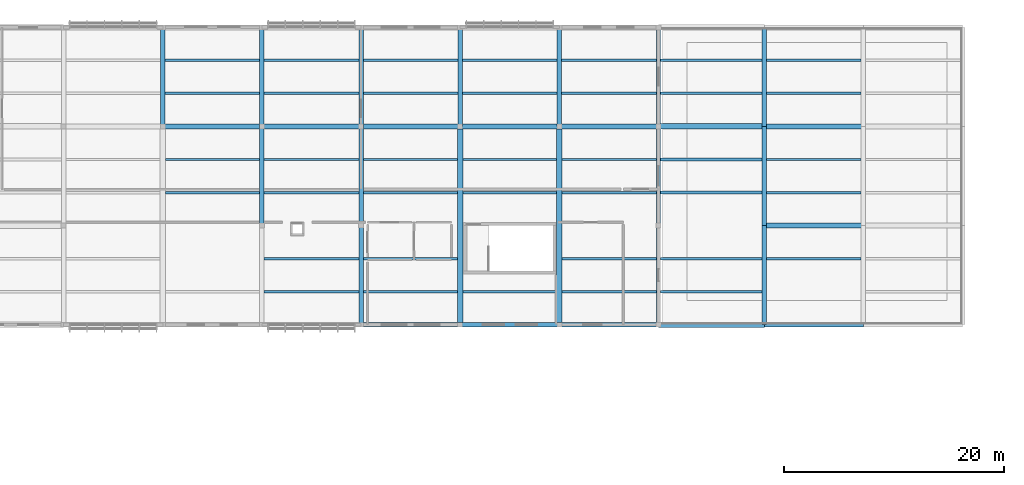
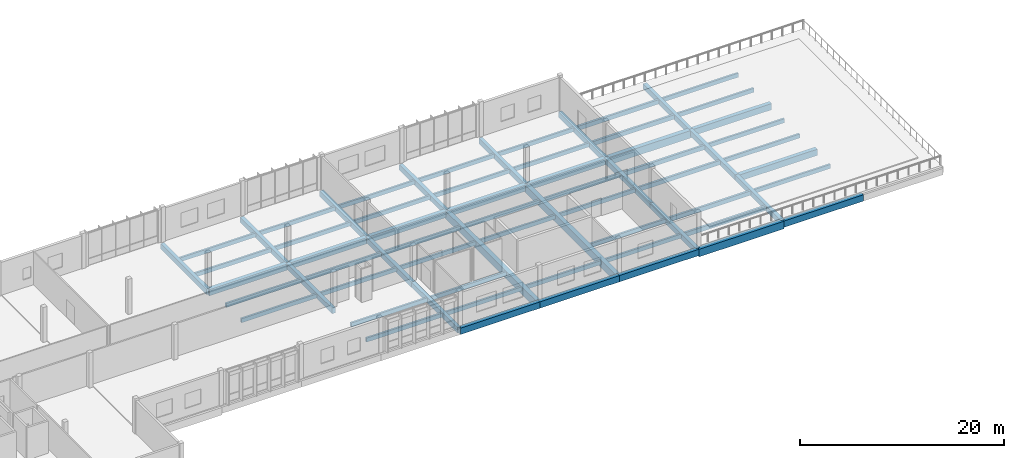
# One storey, part 49 of 94: 67 beams.
"""IFC4 building model written with IfcOpenShell, lengths in metres."""

from ifc_helpers import new_model, si_unit, direction, frame, origin, origin_2d, place, context, subcontext, project, spatial, rectangle, extrude, material, material_profile, profile_set, type_object, element, save


model = new_model("IFC4")

# Units and contexts
model_context = context("Model", 3, precision=1e-05, world=origin(), true_north=direction((0.0, 1.0)))
body_context = subcontext(model_context, "Body", "Model", "MODEL_VIEW")
ifc_project = project(units=[si_unit("LENGTHUNIT", "METRE"), si_unit("AREAUNIT", "SQUARE_METRE"), si_unit("VOLUMEUNIT", "CUBIC_METRE"), si_unit("PLANEANGLEUNIT", "RADIAN"), si_unit("MASSUNIT", "GRAM", prefix="KILO")], contexts=[model_context])

# Site, building, storey
site_placement = place(None, origin())
site = spatial("IfcSite", under=ifc_project, at=site_placement, CompositionType="ELEMENT")
building_placement = place(site_placement, origin())
building = spatial("IfcBuilding", under=site, at=building_placement, Name="Chiffa Square Polytechnic", CompositionType="ELEMENT")
storey_placement = place(building_placement, frame((0.0, 0.0, 18.0)))
storey = spatial("IfcBuildingStorey", under=building, at=storey_placement, Name="L04", CompositionType="ELEMENT", Elevation=18.0)

# Beams
ifc_material_1 = material(Name="Concrete C35/45", Category="concrete")
ifc_material_profile_1 = material_profile(ifc_material_1, rectangle(XDim=0.39990234375, YDim=0.64990234375, at=origin_2d()), Name="RC 400x650")
ifc_profile_set_1 = profile_set([ifc_material_profile_1], Name="Concrete C35/45")
beam_type_1 = type_object("IfcBeamType", Name="BM-RC-400X650", PredefinedType="BEAM", material=ifc_profile_set_1)
for number, where, z_axis, x_axis, name in (
    (1, (66.60009765625, 121.800048828125, -0.56494140625), (0.0, 1.0, 0.0), (-1.0, 0.0, 0.0), "Primary floor girder BM-V5-L04-Y-0666-1218"),
    (2, (75.60009765625, 112.800048828125, -0.56494140625), (0.0, 1.0, 0.0), (-1.0, 0.0, 0.0), "Primary floor girder BM-V5-L04-Y-0756-1128"),
    (3, (75.60009765625, 121.800048828125, -0.56494140625), (0.0, 1.0, 0.0), (-1.0, 0.0, 0.0), "Primary floor girder BM-V5-L04-Y-0756-1218"),
    (4, (84.60009765625, 103.800048828125, -0.56494140625), (0.0, 1.0, 0.0), (-1.0, 0.0, 0.0), "Primary floor girder BM-V5-L04-Y-0846-1038"),
    (5, (84.60009765625, 112.800048828125, -0.56494140625), (0.0, 1.0, 0.0), (-1.0, 0.0, 0.0), "Primary floor girder BM-V5-L04-Y-0846-1128"),
    (6, (84.60009765625, 121.800048828125, -0.56494140625), (0.0, 1.0, 0.0), (-1.0, 0.0, 0.0), "Primary floor girder BM-V5-L04-Y-0846-1218"),
    (7, (93.60009765625, 121.800048828125, -0.56494140625), (0.0, 1.0, 0.0), (-1.0, 0.0, 0.0), "Primary floor girder BM-V5-L04-Y-0936-1218"),
    (8, (102.60009765625, 121.800048828125, -0.56494140625), (0.0, 1.0, 0.0), (-1.0, 0.0, 0.0), "Primary floor girder BM-V5-L04-Y-1026-1218"),
    (9, (111.60009765625, 103.800048828125, -0.56494140625), (0.0, 1.0, 0.0), (-1.0, 0.0, 0.0), "Primary floor girder BM-V5-L04-Y-1116-1038"),
    (10, (111.60009765625, 112.800048828125, -0.56494140625), (0.0, 1.0, 0.0), (-1.0, 0.0, 0.0), "Primary floor girder BM-V5-L04-Y-1116-1128"),
    (11, (111.60009765625, 121.800048828125, -0.56494140625), (0.0, 1.0, 0.0), (-1.0, 0.0, 0.0), "Primary floor girder BM-V5-L04-Y-1116-1218"),
    (12, (121.199951171875, 103.800048828125, -0.56494140625), (0.0, 1.0, 0.0), (-1.0, 0.0, 0.0), "Primary floor girder BM-V5-L04-Y-1212-1038"),
    (13, (121.199951171875, 112.800048828125, -0.56494140625), (0.0, 1.0, 0.0), (-1.0, 0.0, 0.0), "Primary floor girder BM-V5-L04-Y-1212-1128"),
    (14, (121.199951171875, 121.800048828125, -0.56494140625), (0.0, 1.0, 0.0), (-1.0, 0.0, 0.0), "Primary floor girder BM-V5-L04-Y-1212-1218"),
):
    element("IfcBeam", number, at=place(storey_placement, frame(where, z_axis=z_axis, x_axis=x_axis)), inside=storey, type_object=beam_type_1, Name=name, PredefinedType="BEAM", context=body_context, shape_type="SweptSolid", body=[
        extrude(rectangle(XDim=0.39990234375, YDim=0.64990234375, at=origin_2d()), origin(), (0.0, 0.0, 1.0), 9.0),
    ])
ifc_material_profile_2 = material_profile(ifc_material_1, rectangle(XDim=0.449951171875, YDim=0.75, at=origin_2d()), Name="RC 450x750")
ifc_profile_set_2 = profile_set([ifc_material_profile_2], Name="Concrete C35/45")
beam_type_2 = type_object("IfcBeamType", Name="BM-RC-450X750", PredefinedType="BEAM", material=ifc_profile_set_2)
for number, where, z_axis, x_axis, name in (
    (15, (84.60009765625, 103.800048828125, -0.614990234375), (1.0, 0.0, 0.0), (0.0, 1.0, 0.0), "Primary floor girder BM-V5-L04-X-0846-1038"),
    (16, (93.60009765625, 103.800048828125, -0.614990234375), (1.0, 0.0, 0.0), (0.0, 1.0, 0.0), "Primary floor girder BM-V5-L04-X-0936-1038"),
    (17, (102.60009765625, 103.800048828125, -0.614990234375), (1.0, 0.0, 0.0), (0.0, 1.0, 0.0), "Primary floor girder BM-V5-L04-X-1026-1038"),
    (18, (121.199951171875, 103.800048828125, -0.614990234375), (1.0, 0.0, 0.0), (0.0, 1.0, 0.0), "Primary floor girder BM-V5-L04-X-1212-1038"),
    (19, (121.199951171875, 112.800048828125, -0.614990234375), (1.0, 0.0, 0.0), (0.0, 1.0, 0.0), "Primary floor girder BM-V5-L04-X-1212-1128"),
    (20, (66.60009765625, 121.800048828125, -0.614990234375), (1.0, 0.0, 0.0), (0.0, 1.0, 0.0), "Primary floor girder BM-V5-L04-X-0666-1218"),
    (21, (75.60009765625, 121.800048828125, -0.614990234375), (1.0, 0.0, 0.0), (0.0, 1.0, 0.0), "Primary floor girder BM-V5-L04-X-0756-1218"),
    (22, (84.60009765625, 121.800048828125, -0.614990234375), (1.0, 0.0, 0.0), (0.0, 1.0, 0.0), "Primary floor girder BM-V5-L04-X-0846-1218"),
    (23, (93.60009765625, 121.800048828125, -0.614990234375), (1.0, 0.0, 0.0), (0.0, 1.0, 0.0), "Primary floor girder BM-V5-L04-X-0936-1218"),
    (24, (102.60009765625, 121.800048828125, -0.614990234375), (1.0, 0.0, 0.0), (0.0, 1.0, 0.0), "Primary floor girder BM-V5-L04-X-1026-1218"),
    (25, (121.199951171875, 121.800048828125, -0.614990234375), (1.0, 0.0, 0.0), (0.0, 1.0, 0.0), "Primary floor girder BM-V5-L04-X-1212-1218"),
):
    element("IfcBeam", number, at=place(storey_placement, frame(where, z_axis=z_axis, x_axis=x_axis)), inside=storey, type_object=beam_type_2, Name=name, PredefinedType="BEAM", context=body_context, shape_type="SweptSolid", body=[
        extrude(rectangle(XDim=0.449951171875, YDim=0.75, at=origin_2d()), origin(), (0.0, 0.0, 1.0), 9.0),
    ])
ifc_material_2 = material(Name="Concrete C40/50", Category="concrete")
ifc_material_profile_3 = material_profile(ifc_material_2, rectangle(XDim=0.5, YDim=0.89990234375, at=origin_2d()), Name="RC 500x900")
ifc_profile_set_3 = profile_set([ifc_material_profile_3], Name="Concrete C40/50")
beam_type_3 = type_object("IfcBeamType", Name="BM-RC-500X900", PredefinedType="BEAM", material=ifc_profile_set_3)
for number, where, z_axis, x_axis, name in (
    (26, (111.60009765625, 103.800048828125, -0.68994140625), (1.0, 0.0, 0.0), (0.0, 1.0, 0.0), "Primary floor girder BM-V5-L04-X-1116-1038"),
    (27, (111.60009765625, 121.800048828125, -0.68994140625), (1.0, 0.0, 0.0), (0.0, 1.0, 0.0), "Primary floor girder BM-V5-L04-X-1116-1218"),
):
    element("IfcBeam", number, at=place(storey_placement, frame(where, z_axis=z_axis, x_axis=x_axis)), inside=storey, type_object=beam_type_3, Name=name, PredefinedType="BEAM", context=body_context, shape_type="SweptSolid", body=[
        extrude(rectangle(XDim=0.5, YDim=0.89990234375, at=origin_2d()), origin(), (0.0, 0.0, 1.0), 9.599853515625),
    ])
for number, where, z_axis, x_axis, name in (
    (28, (93.60009765625, 103.800048828125, -0.68994140625), (0.0, 1.0, 0.0), (-1.0, 0.0, 0.0), "Primary floor girder BM-V5-L04-Y-0936-1038"),
    (29, (102.60009765625, 103.800048828125, -0.68994140625), (0.0, 1.0, 0.0), (-1.0, 0.0, 0.0), "Primary floor girder BM-V5-L04-Y-1026-1038"),
):
    element("IfcBeam", number, at=place(storey_placement, frame(where, z_axis=z_axis, x_axis=x_axis)), inside=storey, type_object=beam_type_3, Name=name, PredefinedType="BEAM", context=body_context, shape_type="SweptSolid", body=[
        extrude(rectangle(XDim=0.5, YDim=0.89990234375, at=origin_2d()), origin(), (0.0, 0.0, 1.0), 18.0),
    ])
ifc_material_3 = material(Name="Glulam GL28h", Category="wood")
ifc_material_profile_4 = material_profile(ifc_material_3, rectangle(XDim=0.219970703125, YDim=0.47998046875, at=origin_2d()), Name="GL28h 220x480")
ifc_profile_set_4 = profile_set([ifc_material_profile_4], Name="Glulam GL28h")
beam_type_4 = type_object("IfcBeamType", Name="JST-GL-220X480", PredefinedType="JOIST", material=ifc_profile_set_4)
for number, where, z_axis, x_axis, name in (
    (30, (66.847900390625, 115.800048828125, -0.47998046875), (1.0, 0.0, 0.0), (0.0, 1.0, 0.0), "Secondary floor joist JST-V5-L04-0666-1158"),
    (31, (66.847900390625, 118.800048828125, -0.47998046875), (1.0, 0.0, 0.0), (0.0, 1.0, 0.0), "Secondary floor joist JST-V5-L04-0666-1188"),
):
    element("IfcBeam", number, at=place(storey_placement, frame(where, z_axis=z_axis, x_axis=x_axis)), inside=storey, type_object=beam_type_4, Name=name, PredefinedType="JOIST", context=body_context, shape_type="SweptSolid", body=[
        extrude(rectangle(XDim=0.219970703125, YDim=0.47998046875, at=origin_2d()), origin(), (0.0, 0.0, 1.0), 8.55419921875),
    ])
for number, where, z_axis, x_axis, name in (
    (32, (66.798095703125, 124.800048828125, -0.47998046875), (1.0, 0.0, 0.0), (0.0, 1.0, 0.0), "Secondary floor joist JST-V5-L04-0666-1248"),
    (33, (66.798095703125, 127.800048828125, -0.47998046875), (1.0, 0.0, 0.0), (0.0, 1.0, 0.0), "Secondary floor joist JST-V5-L04-0666-1278"),
    (34, (75.798095703125, 106.800048828125, -0.47998046875), (1.0, 0.0, 0.0), (0.0, 1.0, 0.0), "Secondary floor joist JST-V5-L04-0756-1068"),
    (35, (75.798095703125, 109.800048828125, -0.47998046875), (1.0, 0.0, 0.0), (0.0, 1.0, 0.0), "Secondary floor joist JST-V5-L04-0756-1098"),
    (36, (75.798095703125, 115.800048828125, -0.47998046875), (1.0, 0.0, 0.0), (0.0, 1.0, 0.0), "Secondary floor joist JST-V5-L04-0756-1158"),
    (37, (75.798095703125, 118.800048828125, -0.47998046875), (1.0, 0.0, 0.0), (0.0, 1.0, 0.0), "Secondary floor joist JST-V5-L04-0756-1188"),
    (38, (75.798095703125, 124.800048828125, -0.47998046875), (1.0, 0.0, 0.0), (0.0, 1.0, 0.0), "Secondary floor joist JST-V5-L04-0756-1248"),
    (39, (75.798095703125, 127.800048828125, -0.47998046875), (1.0, 0.0, 0.0), (0.0, 1.0, 0.0), "Secondary floor joist JST-V5-L04-0756-1278"),
):
    element("IfcBeam", number, at=place(storey_placement, frame(where, z_axis=z_axis, x_axis=x_axis)), inside=storey, type_object=beam_type_4, Name=name, PredefinedType="JOIST", context=body_context, shape_type="SweptSolid", body=[
        extrude(rectangle(XDim=0.219970703125, YDim=0.47998046875, at=origin_2d()), origin(), (0.0, 0.0, 1.0), 8.60400390625),
    ])
for number, where, z_axis, x_axis, name in (
    (40, (84.798095703125, 106.800048828125, -0.47998046875), (1.0, 0.0, 0.0), (0.0, 1.0, 0.0), "Secondary floor joist JST-V5-L04-0846-1068"),
    (41, (84.798095703125, 109.800048828125, -0.47998046875), (1.0, 0.0, 0.0), (0.0, 1.0, 0.0), "Secondary floor joist JST-V5-L04-0846-1098"),
    (42, (84.798095703125, 115.800048828125, -0.47998046875), (1.0, 0.0, 0.0), (0.0, 1.0, 0.0), "Secondary floor joist JST-V5-L04-0846-1158"),
    (43, (84.798095703125, 118.800048828125, -0.47998046875), (1.0, 0.0, 0.0), (0.0, 1.0, 0.0), "Secondary floor joist JST-V5-L04-0846-1188"),
):
    element("IfcBeam", number, at=place(storey_placement, frame(where, z_axis=z_axis, x_axis=x_axis)), inside=storey, type_object=beam_type_4, Name=name, PredefinedType="JOIST", context=body_context, shape_type="SweptSolid", body=[
        extrude(rectangle(XDim=0.219970703125, YDim=0.47998046875, at=origin_2d()), origin(), (0.0, 0.0, 1.0), 8.553955078125),
    ])
for number, where, z_axis, x_axis, name in (
    (44, (84.798095703125, 124.800048828125, -0.47998046875), (1.0, 0.0, 0.0), (0.0, 1.0, 0.0), "Secondary floor joist JST-V5-L04-0846-1248"),
    (45, (84.798095703125, 127.800048828125, -0.47998046875), (1.0, 0.0, 0.0), (0.0, 1.0, 0.0), "Secondary floor joist JST-V5-L04-0846-1278"),
):
    element("IfcBeam", number, at=place(storey_placement, frame(where, z_axis=z_axis, x_axis=x_axis)), inside=storey, type_object=beam_type_4, Name=name, PredefinedType="JOIST", context=body_context, shape_type="SweptSolid", body=[
        extrude(rectangle(XDim=0.219970703125, YDim=0.47998046875, at=origin_2d()), origin(), (0.0, 0.0, 1.0), 8.60400390625),
    ])
for number, where, z_axis, x_axis, name in (
    (46, (93.847900390625, 106.800048828125, -0.47998046875), (1.0, 0.0, 0.0), (0.0, 1.0, 0.0), "Secondary floor joist JST-V5-L04-0936-1068"),
    (47, (93.847900390625, 115.800048828125, -0.47998046875), (1.0, 0.0, 0.0), (0.0, 1.0, 0.0), "Secondary floor joist JST-V5-L04-0936-1158"),
    (48, (93.847900390625, 118.800048828125, -0.47998046875), (1.0, 0.0, 0.0), (0.0, 1.0, 0.0), "Secondary floor joist JST-V5-L04-0936-1188"),
):
    element("IfcBeam", number, at=place(storey_placement, frame(where, z_axis=z_axis, x_axis=x_axis)), inside=storey, type_object=beam_type_4, Name=name, PredefinedType="JOIST", context=body_context, shape_type="SweptSolid", body=[
        extrude(rectangle(XDim=0.219970703125, YDim=0.47998046875, at=origin_2d()), origin(), (0.0, 0.0, 1.0), 8.504150390625),
    ])
for number, where, z_axis, x_axis, name in (
    (49, (93.798095703125, 124.800048828125, -0.47998046875), (1.0, 0.0, 0.0), (0.0, 1.0, 0.0), "Secondary floor joist JST-V5-L04-0936-1248"),
    (50, (93.798095703125, 127.800048828125, -0.47998046875), (1.0, 0.0, 0.0), (0.0, 1.0, 0.0), "Secondary floor joist JST-V5-L04-0936-1278"),
):
    element("IfcBeam", number, at=place(storey_placement, frame(where, z_axis=z_axis, x_axis=x_axis)), inside=storey, type_object=beam_type_4, Name=name, PredefinedType="JOIST", context=body_context, shape_type="SweptSolid", body=[
        extrude(rectangle(XDim=0.219970703125, YDim=0.47998046875, at=origin_2d()), origin(), (0.0, 0.0, 1.0), 8.60400390625),
    ])
for number, where, z_axis, x_axis, name in (
    (51, (102.847900390625, 106.800048828125, -0.47998046875), (1.0, 0.0, 0.0), (0.0, 1.0, 0.0), "Secondary floor joist JST-V5-L04-1026-1068"),
    (52, (102.847900390625, 109.800048828125, -0.47998046875), (1.0, 0.0, 0.0), (0.0, 1.0, 0.0), "Secondary floor joist JST-V5-L04-1026-1098"),
    (53, (102.847900390625, 115.800048828125, -0.47998046875), (1.0, 0.0, 0.0), (0.0, 1.0, 0.0), "Secondary floor joist JST-V5-L04-1026-1158"),
    (54, (102.847900390625, 118.800048828125, -0.47998046875), (1.0, 0.0, 0.0), (0.0, 1.0, 0.0), "Secondary floor joist JST-V5-L04-1026-1188"),
):
    element("IfcBeam", number, at=place(storey_placement, frame(where, z_axis=z_axis, x_axis=x_axis)), inside=storey, type_object=beam_type_4, Name=name, PredefinedType="JOIST", context=body_context, shape_type="SweptSolid", body=[
        extrude(rectangle(XDim=0.219970703125, YDim=0.47998046875, at=origin_2d()), origin(), (0.0, 0.0, 1.0), 8.55419921875),
    ])
for number, where, z_axis, x_axis, name in (
    (55, (102.798095703125, 124.800048828125, -0.47998046875), (1.0, 0.0, 0.0), (0.0, 1.0, 0.0), "Secondary floor joist JST-V5-L04-1026-1248"),
    (56, (102.798095703125, 127.800048828125, -0.47998046875), (1.0, 0.0, 0.0), (0.0, 1.0, 0.0), "Secondary floor joist JST-V5-L04-1026-1278"),
    (57, (121.39794921875, 109.800048828125, -0.47998046875), (1.0, 0.0, 0.0), (0.0, 1.0, 0.0), "Secondary floor joist JST-V5-L04-1212-1098"),
    (58, (121.39794921875, 115.800048828125, -0.47998046875), (1.0, 0.0, 0.0), (0.0, 1.0, 0.0), "Secondary floor joist JST-V5-L04-1212-1158"),
    (59, (121.39794921875, 118.800048828125, -0.47998046875), (1.0, 0.0, 0.0), (0.0, 1.0, 0.0), "Secondary floor joist JST-V5-L04-1212-1188"),
    (60, (121.39794921875, 124.800048828125, -0.47998046875), (1.0, 0.0, 0.0), (0.0, 1.0, 0.0), "Secondary floor joist JST-V5-L04-1212-1248"),
    (61, (121.39794921875, 127.800048828125, -0.47998046875), (1.0, 0.0, 0.0), (0.0, 1.0, 0.0), "Secondary floor joist JST-V5-L04-1212-1278"),
):
    element("IfcBeam", number, at=place(storey_placement, frame(where, z_axis=z_axis, x_axis=x_axis)), inside=storey, type_object=beam_type_4, Name=name, PredefinedType="JOIST", context=body_context, shape_type="SweptSolid", body=[
        extrude(rectangle(XDim=0.219970703125, YDim=0.47998046875, at=origin_2d()), origin(), (0.0, 0.0, 1.0), 8.60400390625),
    ])
ifc_material_profile_5 = material_profile(ifc_material_3, rectangle(XDim=0.239990234375, YDim=0.52001953125, at=origin_2d()), Name="GL28h 240x520")
ifc_profile_set_5 = profile_set([ifc_material_profile_5], Name="Glulam GL28h")
beam_type_5 = type_object("IfcBeamType", Name="JST-GL-240X520", PredefinedType="JOIST", material=ifc_profile_set_5)
for number, where, z_axis, x_axis, name in (
    (62, (111.798095703125, 106.800048828125, -0.5), (1.0, 0.0, 0.0), (0.0, 1.0, 0.0), "Secondary floor joist JST-V5-L04-1116-1068"),
    (63, (111.798095703125, 109.800048828125, -0.5), (1.0, 0.0, 0.0), (0.0, 1.0, 0.0), "Secondary floor joist JST-V5-L04-1116-1098"),
    (64, (111.798095703125, 115.800048828125, -0.5), (1.0, 0.0, 0.0), (0.0, 1.0, 0.0), "Secondary floor joist JST-V5-L04-1116-1158"),
    (65, (111.798095703125, 118.800048828125, -0.5), (1.0, 0.0, 0.0), (0.0, 1.0, 0.0), "Secondary floor joist JST-V5-L04-1116-1188"),
    (66, (111.798095703125, 124.800048828125, -0.5), (1.0, 0.0, 0.0), (0.0, 1.0, 0.0), "Secondary floor joist JST-V5-L04-1116-1248"),
    (67, (111.798095703125, 127.800048828125, -0.5), (1.0, 0.0, 0.0), (0.0, 1.0, 0.0), "Secondary floor joist JST-V5-L04-1116-1278"),
):
    element("IfcBeam", number, at=place(storey_placement, frame(where, z_axis=z_axis, x_axis=x_axis)), inside=storey, type_object=beam_type_5, Name=name, PredefinedType="JOIST", context=body_context, shape_type="SweptSolid", body=[
        extrude(rectangle(XDim=0.239990234375, YDim=0.52001953125, at=origin_2d()), origin(), (0.0, 0.0, 1.0), 9.203857421875),
    ])

save(model, "model.ifc")
